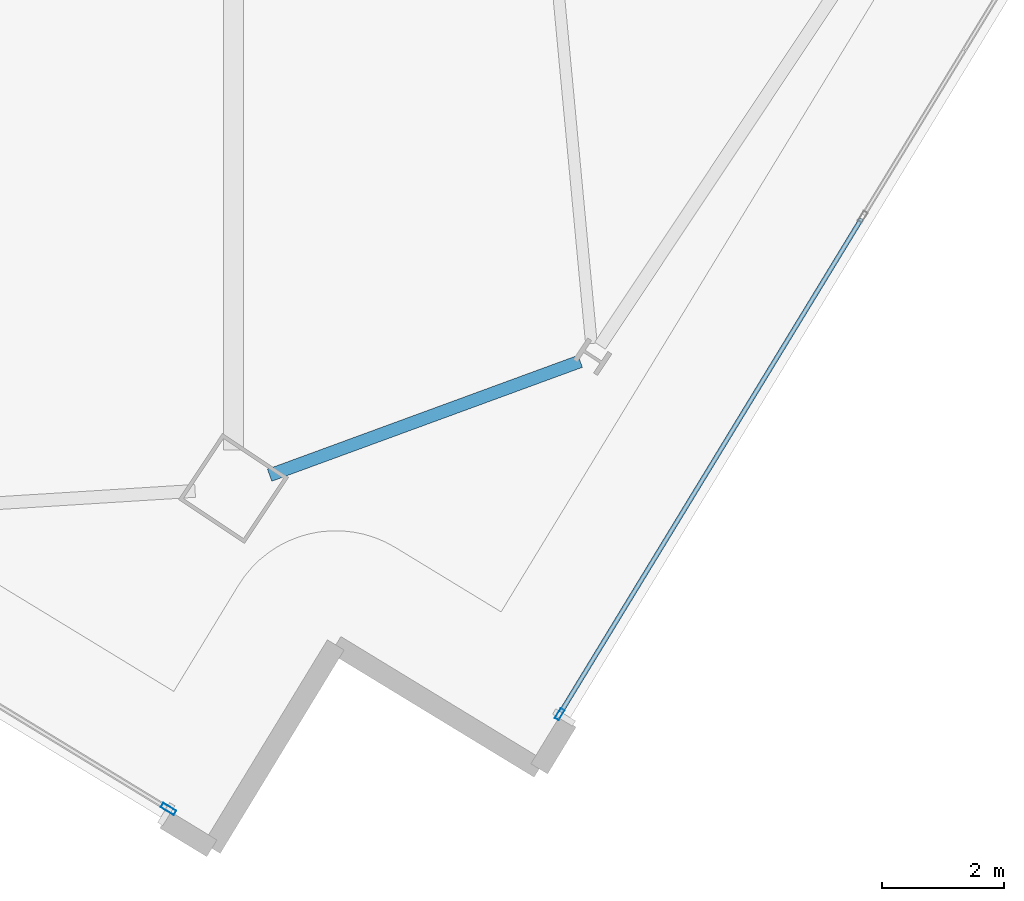
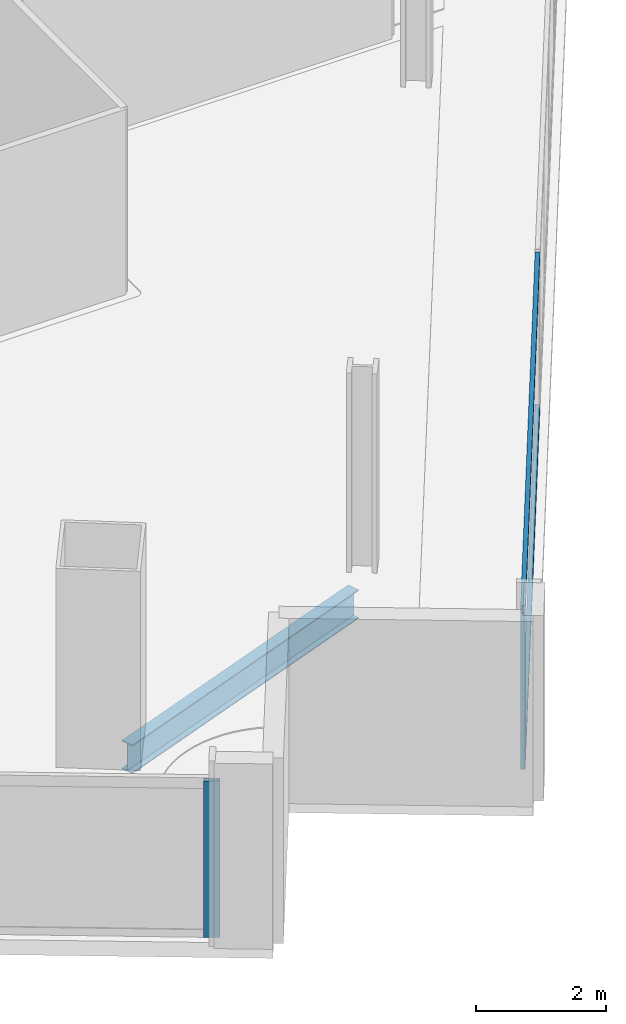
# One storey, part 8 of 28: 4 members, 1 beam, 2 elements without a shape of their own.
"""IFC4 building model written with IfcOpenShell, lengths in metres."""

from ifc_helpers import new_model, si_unit, direction, frame, origin, origin_2d, place, context, subcontext, project, spatial, hollow_rectangle, i_section, extrude, material, material_profile, profile_set, type_object, element, aggregate, save


model = new_model("IFC4")

# Units and contexts
model_context = context("Model", 3, precision=1e-05, world=origin(), true_north=direction((0.0, 1.0)))
body_context = subcontext(model_context, "Body", "Model", "MODEL_VIEW")
ifc_project = project(units=[si_unit("LENGTHUNIT", "METRE"), si_unit("AREAUNIT", "SQUARE_METRE"), si_unit("VOLUMEUNIT", "CUBIC_METRE"), si_unit("PLANEANGLEUNIT", "RADIAN"), si_unit("MASSUNIT", "GRAM", prefix="KILO")], contexts=[model_context])

# Site, building, storey
site_placement = place(None, origin())
site = spatial("IfcSite", under=ifc_project, at=site_placement, CompositionType="ELEMENT")
building_placement = place(site_placement, origin())
building = spatial("IfcBuilding", under=site, at=building_placement, Name="Haldenkirk Collegiate Tower", CompositionType="ELEMENT")
storey_placement = place(building_placement, frame((0.0, 0.0, 224.699951171875)))
storey = spatial("IfcBuildingStorey", under=building, at=storey_placement, Name="L56", CompositionType="ELEMENT", Elevation=224.699951171875)

# Beam
ifc_material_1 = material(Name="Steel ASTM A992 Grade 50", Category="steel")
ifc_material_profile_1 = material_profile(ifc_material_1, i_section(OverallWidth=0.2099609375, OverallDepth=0.537109375, WebThickness=0.010986328125, FlangeThickness=0.017333984375, at=origin_2d()), Name="W21X68")
ifc_profile_set_1 = profile_set([ifc_material_profile_1], Name="Steel ASTM A992 Grade 50")
beam_type = type_object("IfcBeamType", Name="BM-SPANDREL-W21X68", PredefinedType="SPANDREL", material=ifc_profile_set_1)
beam_placement = place(storey_placement, frame((41.07421875, 1.5498046875, -0.54833984375), z_axis=(0.938836975249, 0.344361922843, 0.0), x_axis=(-0.344361922843, 0.938836975249, 0.0)))
element("IfcBeam", 1, at=beam_placement, inside=storey, type_object=beam_type, Name="L56 perimeter spandrel beam 01", PredefinedType="SPANDREL", context=body_context, shape_type="SweptSolid", body=[
    extrude(i_section(OverallWidth=0.2099609375, OverallDepth=0.537109375, WebThickness=0.010986328125, FlangeThickness=0.017333984375, at=origin_2d()), origin(), (0.0, 0.0, 1.0), 5.41650390625),
])

# Curtain wall, member
ifc_material_2 = material(Name="Anodised architectural bronze aluminium", Category="aluminium")
curtain_wall_type_1 = type_object("IfcCurtainWallType", Name="CW-SYS2-CONCAVE", PredefinedType="USERDEFINED", material=ifc_material_2)
curtain_wall_1_placement = place(storey_placement, origin())
curtain_wall_1 = element("IfcCurtainWall", 2, at=curtain_wall_1_placement, inside=storey, type_object=curtain_wall_type_1, Name="L56 South concave recessed bronze-anodised curtain wall", ObjectType="UNITISED CURTAIN WALL", PredefinedType="USERDEFINED")
ifc_material_profile_2 = material_profile(ifc_material_2, hollow_rectangle(XDim=0.074951171875, YDim=0.18994140625, WallThickness=0.0048828125, at=origin_2d()), Name="CW-MUL-02")
ifc_profile_set_2 = profile_set([ifc_material_profile_2], Name="Anodised architectural bronze aluminium")
member_type_1 = type_object("IfcMemberType", Name="CW-MUL-02", PredefinedType="MULLION", material=ifc_profile_set_2)
member_1_placement = place(storey_placement, frame((45.822509765625, -2.36376953125, 0.0), z_axis=(0.0, 0.0, 1.0), x_axis=(0.854004384454, -0.520265808345, 0.0)))
member_1 = element("IfcMember", 3, at=member_1_placement, type_object=member_type_1, Name="CW-02 mullion 5", PredefinedType="MULLION", context=body_context, shape_type="SweptSolid", body=[
    extrude(hollow_rectangle(XDim=0.074951171875, YDim=0.18994140625, WallThickness=0.0048828125, at=origin_2d()), origin(), (0.0, 0.0, 1.0), 2.927978515625),
])

curtain_wall_type_2 = type_object("IfcCurtainWallType", Name="CW-SYS1B-CONVEX-HI", PredefinedType="USERDEFINED", material=ifc_material_2)
curtain_wall_2_placement = place(storey_placement, origin())
curtain_wall_2 = element("IfcCurtainWall", 4, at=curtain_wall_2_placement, inside=storey, type_object=curtain_wall_type_2, Name="L56 Upper tower high-wind convex bronze unitised curtain wall", ObjectType="UNITISED CURTAIN WALL", PredefinedType="USERDEFINED")
ifc_material_profile_3 = material_profile(ifc_material_2, hollow_rectangle(XDim=0.0849609375, YDim=0.25, WallThickness=0.0048828125, at=origin_2d()), Name="CW-MUL-1B")
ifc_profile_set_3 = profile_set([ifc_material_profile_3], Name="Anodised architectural bronze aluminium")
member_type_2 = type_object("IfcMemberType", Name="CW-MUL-1B", PredefinedType="MULLION", material=ifc_profile_set_3)
member_2_placement = place(storey_placement, frame((39.41748046875, -3.91552734375, 0.0), z_axis=(0.0, 0.0, 1.0), x_axis=(-0.520268152303, -0.854002956493, 0.0)))
member_2 = element("IfcMember", 5, at=member_2_placement, type_object=member_type_2, Name="CW-1B mullion 1", PredefinedType="MULLION", context=body_context, shape_type="SweptSolid", body=[
    extrude(hollow_rectangle(XDim=0.0849609375, YDim=0.25, WallThickness=0.0048828125, at=origin_2d()), origin(), (0.0, 0.0, 1.0), 2.927978515625),
])
aggregate(curtain_wall_2, [member_2])

# Member
ifc_material_profile_4 = material_profile(ifc_material_2, hollow_rectangle(XDim=0.074951171875, YDim=0.159912109375, WallThickness=0.0048828125, at=origin_2d()), Name="CW-TRN-02")
ifc_profile_set_4 = profile_set([ifc_material_profile_4], Name="Anodised architectural bronze aluminium")
member_type_3 = type_object("IfcMemberType", Name="CW-TRN-02", PredefinedType="USERDEFINED", material=ifc_profile_set_4)
member_3_placement = place(storey_placement, frame((50.764892578125, 5.749267578125, 0.03759765625), z_axis=(-0.520251401272, -0.854013161183, 0.0), x_axis=(0.854013161183, -0.520251401272, 0.0)))
member_3 = element("IfcMember", 6, at=member_3_placement, type_object=member_type_3, Name="CW-02 transom 4.1", ObjectType="TRANSOM", PredefinedType="USERDEFINED", context=body_context, shape_type="SweptSolid", body=[
    extrude(hollow_rectangle(XDim=0.074951171875, YDim=0.159912109375, WallThickness=0.0048828125, at=origin_2d()), origin(), (0.0, 0.0, 1.0), 9.46240234375),
])

member_4_placement = place(storey_placement, frame((50.764892578125, 5.749267578125, 2.890625), z_axis=(-0.520251401272, -0.854013161183, 0.0), x_axis=(0.854013161183, -0.520251401272, 0.0)))
member_4 = element("IfcMember", 7, at=member_4_placement, type_object=member_type_3, Name="CW-02 transom 4.2", ObjectType="TRANSOM", PredefinedType="USERDEFINED", context=body_context, shape_type="SweptSolid", body=[
    extrude(hollow_rectangle(XDim=0.074951171875, YDim=0.159912109375, WallThickness=0.0048828125, at=origin_2d()), origin(), (0.0, 0.0, 1.0), 9.46240234375),
])

aggregate(curtain_wall_1, [member_1, member_3, member_4])

save(model, "model.ifc")
